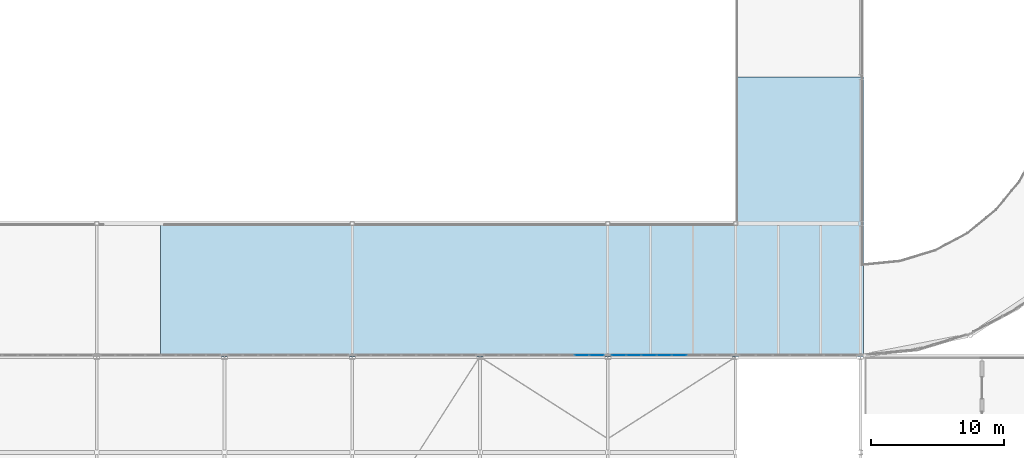
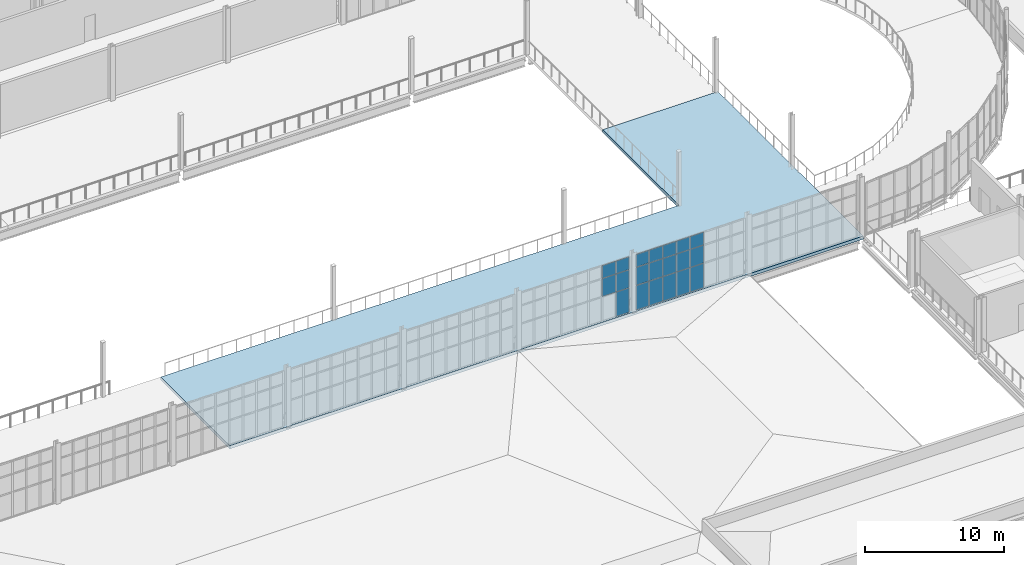
# One storey, part 78 of 112: 20 plates, 1 slab, 2 elements without a shape of their own.
"""IFC4 building model written with IfcOpenShell, lengths in metres."""

from ifc_helpers import new_model, si_unit, direction, frame, origin, origin_2d, place, context, subcontext, project, spatial, polyline, rectangle, outline, extrude, material, layer, layer_set, type_object, element, aggregate, save


model = new_model("IFC4")

# Units and contexts
model_context = context("Model", 3, precision=1e-05, world=origin(), true_north=direction((0.0, 1.0)))
body_context = subcontext(model_context, "Body", "Model", "MODEL_VIEW")
ifc_project = project(units=[si_unit("LENGTHUNIT", "METRE"), si_unit("AREAUNIT", "SQUARE_METRE"), si_unit("VOLUMEUNIT", "CUBIC_METRE"), si_unit("PLANEANGLEUNIT", "RADIAN"), si_unit("MASSUNIT", "GRAM", prefix="KILO")], contexts=[model_context])

# Site, building, storey
site_placement = place(None, origin())
site = spatial("IfcSite", under=ifc_project, at=site_placement, CompositionType="ELEMENT")
building_placement = place(site_placement, origin())
building = spatial("IfcBuilding", under=site, at=building_placement, Name="Yeouljin Market Hall", CompositionType="ELEMENT")
storey_placement = place(building_placement, frame((0.0, 0.0, 6.0)))
storey = spatial("IfcBuildingStorey", under=building, at=storey_placement, Name="L01", CompositionType="ELEMENT", Elevation=6.0)

# Curtain wall, plates
ifc_material_1 = material(Name="Thermally Broken Aluminium", Category="aluminium")
ifc_layer_1 = layer(ifc_material_1, 0.159912109375)
ifc_layer_set_1 = layer_set([ifc_layer_1], Name="Thermally Broken Aluminium")
curtain_wall_type = type_object("IfcCurtainWallType", Name="CW_HallClerestory_System", PredefinedType="USERDEFINED", material=ifc_layer_set_1)
curtain_wall_1_placement = place(storey_placement, origin())
curtain_wall_1 = element("IfcCurtainWall", 1, at=curtain_wall_1_placement, inside=storey, type_object=curtain_wall_type, Name="Curtain wall CW-V1S-L01-09", ObjectType="CURTAIN WALL", PredefinedType="USERDEFINED")
ifc_material_2 = material(Name="Low-E Insulated Glass", Category="glass")
ifc_layer_2 = layer(ifc_material_2, 0.028076171875)
ifc_layer_set_2 = layer_set([ifc_layer_2], Name="Low-E Insulated Glass")
plate_type = type_object("IfcPlateType", Name="CWPanel_LowE_28", PredefinedType="CURTAIN_PANEL", material=ifc_layer_set_2)
plate_1_placement = place(storey_placement, frame((120.96923828125, 36.10009765625, 0.048095703125), z_axis=(0.0, 0.0, 1.0), x_axis=(-1.0, 0.0, 0.0)))
plate_1 = element("IfcPlate", 2, at=plate_1_placement, type_object=plate_type, Name="CW-02 panel 1.1", PredefinedType="CURTAIN_PANEL", context=body_context, shape_type="SweptSolid", body=[
    extrude(rectangle(XDim=1.0654296875, YDim=0.028076171875, at=origin_2d()), origin(), (0.0, 0.0, 1.0), 2.1279296875),
])
plate_2_placement = place(storey_placement, frame((120.96923828125, 36.10009765625, 2.22412109375), z_axis=(0.0, 0.0, 1.0), x_axis=(-1.0, 0.0, 0.0)))
plate_2 = element("IfcPlate", 3, at=plate_2_placement, type_object=plate_type, Name="CW-02 panel 1.2", PredefinedType="CURTAIN_PANEL", context=body_context, shape_type="SweptSolid", body=[
    extrude(rectangle(XDim=1.0654296875, YDim=0.028076171875, at=origin_2d()), origin(), (0.0, 0.0, 1.0), 1.552001953125),
])
plate_3_placement = place(storey_placement, frame((120.96923828125, 36.10009765625, 3.82421875), z_axis=(0.0, 0.0, 1.0), x_axis=(-1.0, 0.0, 0.0)))
plate_3 = element("IfcPlate", 4, at=plate_3_placement, type_object=plate_type, Name="CW-02 panel 1.3", PredefinedType="CURTAIN_PANEL", context=body_context, shape_type="SweptSolid", body=[
    extrude(rectangle(XDim=1.0654296875, YDim=0.028076171875, at=origin_2d()), origin(), (0.0, 0.0, 1.0), 1.097900390625),
])
plate_4_placement = place(storey_placement, frame((119.84375, 36.10009765625, 2.22412109375), z_axis=(0.0, 0.0, 1.0), x_axis=(-1.0, 0.0, 0.0)))
plate_4 = element("IfcPlate", 5, at=plate_4_placement, type_object=plate_type, Name="CW-02 panel 2.2", PredefinedType="CURTAIN_PANEL", context=body_context, shape_type="SweptSolid", body=[
    extrude(rectangle(XDim=1.089599609375, YDim=0.028076171875, at=origin_2d()), origin(), (0.0, 0.0, 1.0), 1.552001953125),
])
plate_5_placement = place(storey_placement, frame((119.84375, 36.10009765625, 3.82421875), z_axis=(0.0, 0.0, 1.0), x_axis=(-1.0, 0.0, 0.0)))
plate_5 = element("IfcPlate", 6, at=plate_5_placement, type_object=plate_type, Name="CW-02 panel 2.3", PredefinedType="CURTAIN_PANEL", context=body_context, shape_type="SweptSolid", body=[
    extrude(rectangle(XDim=1.089599609375, YDim=0.028076171875, at=origin_2d()), origin(), (0.0, 0.0, 1.0), 1.097900390625),
])
aggregate(curtain_wall_1, [plate_1, plate_2, plate_3, plate_4, plate_5])

curtain_wall_2_placement = place(storey_placement, origin())
curtain_wall_2 = element("IfcCurtainWall", 7, at=curtain_wall_2_placement, inside=storey, type_object=curtain_wall_type, Name="Curtain wall CW-V1S-L01-10", ObjectType="CURTAIN WALL", PredefinedType="USERDEFINED")
plate_6_placement = place(storey_placement, frame((127.168701171875, 36.10009765625, 0.048095703125), z_axis=(0.0, 0.0, 1.0), x_axis=(-1.0, 0.0, 0.0)))
plate_6 = element("IfcPlate", 8, at=plate_6_placement, type_object=plate_type, Name="CW-02 panel 4.1", PredefinedType="CURTAIN_PANEL", context=body_context, shape_type="SweptSolid", body=[
    extrude(rectangle(XDim=1.089599609375, YDim=0.028076171875, at=origin_2d()), origin(), (0.0, 0.0, 1.0), 2.1279296875),
])
plate_7_placement = place(storey_placement, frame((127.168701171875, 36.10009765625, 2.22412109375), z_axis=(0.0, 0.0, 1.0), x_axis=(-1.0, 0.0, 0.0)))
plate_7 = element("IfcPlate", 9, at=plate_7_placement, type_object=plate_type, Name="CW-02 panel 4.2", PredefinedType="CURTAIN_PANEL", context=body_context, shape_type="SweptSolid", body=[
    extrude(rectangle(XDim=1.089599609375, YDim=0.028076171875, at=origin_2d()), origin(), (0.0, 0.0, 1.0), 1.552001953125),
])
plate_8_placement = place(storey_placement, frame((127.168701171875, 36.10009765625, 3.82421875), z_axis=(0.0, 0.0, 1.0), x_axis=(-1.0, 0.0, 0.0)))
plate_8 = element("IfcPlate", 10, at=plate_8_placement, type_object=plate_type, Name="CW-02 panel 4.3", PredefinedType="CURTAIN_PANEL", context=body_context, shape_type="SweptSolid", body=[
    extrude(rectangle(XDim=1.089599609375, YDim=0.028076171875, at=origin_2d()), origin(), (0.0, 0.0, 1.0), 1.097900390625),
])
plate_9_placement = place(storey_placement, frame((126.03125, 36.10009765625, 0.048095703125), z_axis=(0.0, 0.0, 1.0), x_axis=(-1.0, 0.0, 0.0)))
plate_9 = element("IfcPlate", 11, at=plate_9_placement, type_object=plate_type, Name="CW-02 panel 5.1", PredefinedType="CURTAIN_PANEL", context=body_context, shape_type="SweptSolid", body=[
    extrude(rectangle(XDim=1.089599609375, YDim=0.028076171875, at=origin_2d()), origin(), (0.0, 0.0, 1.0), 2.1279296875),
])
plate_10_placement = place(storey_placement, frame((126.03125, 36.10009765625, 2.22412109375), z_axis=(0.0, 0.0, 1.0), x_axis=(-1.0, 0.0, 0.0)))
plate_10 = element("IfcPlate", 12, at=plate_10_placement, type_object=plate_type, Name="CW-02 panel 5.2", PredefinedType="CURTAIN_PANEL", context=body_context, shape_type="SweptSolid", body=[
    extrude(rectangle(XDim=1.089599609375, YDim=0.028076171875, at=origin_2d()), origin(), (0.0, 0.0, 1.0), 1.552001953125),
])
plate_11_placement = place(storey_placement, frame((126.03125, 36.10009765625, 3.82421875), z_axis=(0.0, 0.0, 1.0), x_axis=(-1.0, 0.0, 0.0)))
plate_11 = element("IfcPlate", 13, at=plate_11_placement, type_object=plate_type, Name="CW-02 panel 5.3", PredefinedType="CURTAIN_PANEL", context=body_context, shape_type="SweptSolid", body=[
    extrude(rectangle(XDim=1.089599609375, YDim=0.028076171875, at=origin_2d()), origin(), (0.0, 0.0, 1.0), 1.097900390625),
])
plate_12_placement = place(storey_placement, frame((124.893798828125, 36.10009765625, 0.048095703125), z_axis=(0.0, 0.0, 1.0), x_axis=(-1.0, 0.0, 0.0)))
plate_12 = element("IfcPlate", 14, at=plate_12_placement, type_object=plate_type, Name="CW-02 panel 6.1", PredefinedType="CURTAIN_PANEL", context=body_context, shape_type="SweptSolid", body=[
    extrude(rectangle(XDim=1.089599609375, YDim=0.028076171875, at=origin_2d()), origin(), (0.0, 0.0, 1.0), 2.1279296875),
])
plate_13_placement = place(storey_placement, frame((124.893798828125, 36.10009765625, 2.22412109375), z_axis=(0.0, 0.0, 1.0), x_axis=(-1.0, 0.0, 0.0)))
plate_13 = element("IfcPlate", 15, at=plate_13_placement, type_object=plate_type, Name="CW-02 panel 6.2", PredefinedType="CURTAIN_PANEL", context=body_context, shape_type="SweptSolid", body=[
    extrude(rectangle(XDim=1.089599609375, YDim=0.028076171875, at=origin_2d()), origin(), (0.0, 0.0, 1.0), 1.552001953125),
])
plate_14_placement = place(storey_placement, frame((124.893798828125, 36.10009765625, 3.82421875), z_axis=(0.0, 0.0, 1.0), x_axis=(-1.0, 0.0, 0.0)))
plate_14 = element("IfcPlate", 16, at=plate_14_placement, type_object=plate_type, Name="CW-02 panel 6.3", PredefinedType="CURTAIN_PANEL", context=body_context, shape_type="SweptSolid", body=[
    extrude(rectangle(XDim=1.089599609375, YDim=0.028076171875, at=origin_2d()), origin(), (0.0, 0.0, 1.0), 1.097900390625),
])
plate_15_placement = place(storey_placement, frame((123.75634765625, 36.10009765625, 0.048095703125), z_axis=(0.0, 0.0, 1.0), x_axis=(-1.0, 0.0, 0.0)))
plate_15 = element("IfcPlate", 17, at=plate_15_placement, type_object=plate_type, Name="CW-02 panel 7.1", PredefinedType="CURTAIN_PANEL", context=body_context, shape_type="SweptSolid", body=[
    extrude(rectangle(XDim=1.089599609375, YDim=0.028076171875, at=origin_2d()), origin(), (0.0, 0.0, 1.0), 2.1279296875),
])
plate_16_placement = place(storey_placement, frame((123.75634765625, 36.10009765625, 2.22412109375), z_axis=(0.0, 0.0, 1.0), x_axis=(-1.0, 0.0, 0.0)))
plate_16 = element("IfcPlate", 18, at=plate_16_placement, type_object=plate_type, Name="CW-02 panel 7.2", PredefinedType="CURTAIN_PANEL", context=body_context, shape_type="SweptSolid", body=[
    extrude(rectangle(XDim=1.089599609375, YDim=0.028076171875, at=origin_2d()), origin(), (0.0, 0.0, 1.0), 1.552001953125),
])
plate_17_placement = place(storey_placement, frame((123.75634765625, 36.10009765625, 3.82421875), z_axis=(0.0, 0.0, 1.0), x_axis=(-1.0, 0.0, 0.0)))
plate_17 = element("IfcPlate", 19, at=plate_17_placement, type_object=plate_type, Name="CW-02 panel 7.3", PredefinedType="CURTAIN_PANEL", context=body_context, shape_type="SweptSolid", body=[
    extrude(rectangle(XDim=1.089599609375, YDim=0.028076171875, at=origin_2d()), origin(), (0.0, 0.0, 1.0), 1.097900390625),
])
plate_18_placement = place(storey_placement, frame((122.630859375, 36.10009765625, 0.048095703125), z_axis=(0.0, 0.0, 1.0), x_axis=(-1.0, 0.0, 0.0)))
plate_18 = element("IfcPlate", 20, at=plate_18_placement, type_object=plate_type, Name="CW-02 panel 8.1", PredefinedType="CURTAIN_PANEL", context=body_context, shape_type="SweptSolid", body=[
    extrude(rectangle(XDim=1.0654296875, YDim=0.028076171875, at=origin_2d()), origin(), (0.0, 0.0, 1.0), 2.1279296875),
])
plate_19_placement = place(storey_placement, frame((122.630859375, 36.10009765625, 2.22412109375), z_axis=(0.0, 0.0, 1.0), x_axis=(-1.0, 0.0, 0.0)))
plate_19 = element("IfcPlate", 21, at=plate_19_placement, type_object=plate_type, Name="CW-02 panel 8.2", PredefinedType="CURTAIN_PANEL", context=body_context, shape_type="SweptSolid", body=[
    extrude(rectangle(XDim=1.0654296875, YDim=0.028076171875, at=origin_2d()), origin(), (0.0, 0.0, 1.0), 1.552001953125),
])
plate_20_placement = place(storey_placement, frame((122.630859375, 36.10009765625, 3.82421875), z_axis=(0.0, 0.0, 1.0), x_axis=(-1.0, 0.0, 0.0)))
plate_20 = element("IfcPlate", 22, at=plate_20_placement, type_object=plate_type, Name="CW-02 panel 8.3", PredefinedType="CURTAIN_PANEL", context=body_context, shape_type="SweptSolid", body=[
    extrude(rectangle(XDim=1.0654296875, YDim=0.028076171875, at=origin_2d()), origin(), (0.0, 0.0, 1.0), 1.097900390625),
])
aggregate(curtain_wall_2, [plate_6, plate_7, plate_8, plate_9, plate_10, plate_11, plate_12, plate_13, plate_14, plate_15, plate_16, plate_17, plate_18, plate_19, plate_20])

# Slab
ifc_material_3 = material(Name="Concrete C30/37", Category="concrete")
ifc_layer_3 = layer(ifc_material_3, 0.27001953125)
ifc_layer_set_3 = layer_set([ifc_layer_3], Name="Concrete C30/37")
slab_type = type_object("IfcSlabType", Name="SLB_MEZZ_240", PredefinedType="FLOOR", material=ifc_layer_set_3)
slab_placement = place(storey_placement, frame((0.0, 0.0, -0.27001953125)))
element("IfcSlab", 23, at=slab_placement, inside=storey, type_object=slab_type, Name="Structural slab SLB-L01-HMSE", PredefinedType="FLOOR", context=body_context, shape_type="SweptSolid", body=[
    extrude(outline(polyline([(88.199951171875, 36.0), (141.0, 36.0), (141.0, 57.0), (131.39990234375, 57.0), (131.39990234375, 46.0), (88.199951171875, 46.0), (88.199951171875, 36.0)])), origin(), (0.0, 0.0, 1.0), 0.27001953125),
])

save(model, "model.ifc")
